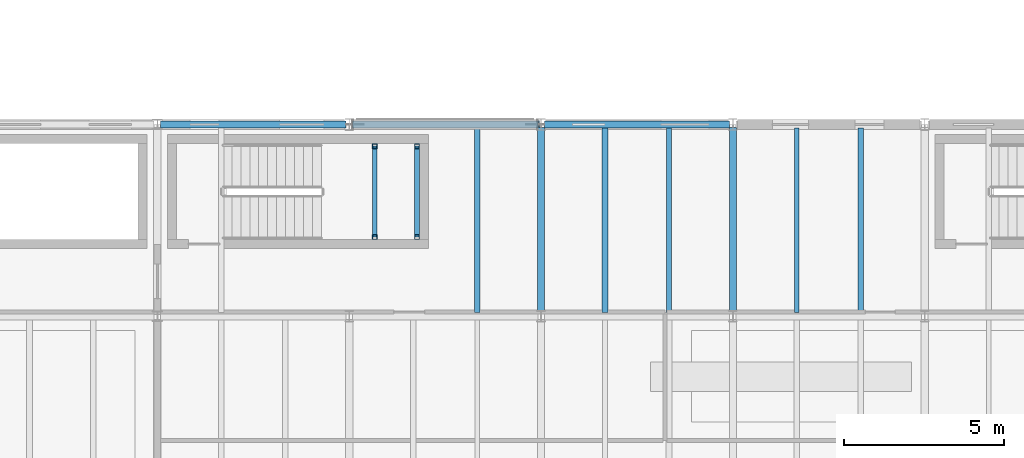
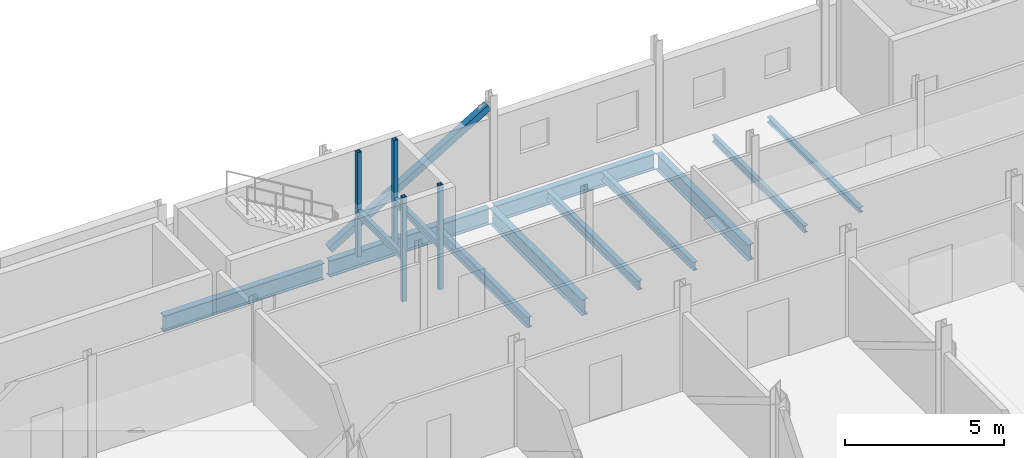
# One storey, part 27 of 92: 12 beams, 5 members.
"""IFC4 building model written with IfcOpenShell, lengths in metres."""

from ifc_helpers import new_model, si_unit, direction, frame, origin, origin_2d, place, context, subcontext, project, spatial, hollow_rectangle, i_section, extrude, material, material_profile, profile_set, type_object, element, save


model = new_model("IFC4")

# Units and contexts
model_context = context("Model", 3, precision=1e-05, world=origin(), true_north=direction((0.0, 1.0)))
body_context = subcontext(model_context, "Body", "Model", "MODEL_VIEW")
ifc_project = project(units=[si_unit("LENGTHUNIT", "METRE"), si_unit("AREAUNIT", "SQUARE_METRE"), si_unit("VOLUMEUNIT", "CUBIC_METRE"), si_unit("PLANEANGLEUNIT", "RADIAN"), si_unit("MASSUNIT", "GRAM", prefix="KILO")], contexts=[model_context])

# Site, building, storey
site_placement = place(None, origin())
site = spatial("IfcSite", under=ifc_project, at=site_placement, CompositionType="ELEMENT")
building_placement = place(site_placement, origin())
building = spatial("IfcBuilding", under=site, at=building_placement, Name="Siltcreek Boulevard Central Fire Station", CompositionType="ELEMENT")
storey_placement = place(building_placement, frame((0.0, 0.0, 6.0)))
storey = spatial("IfcBuildingStorey", under=building, at=storey_placement, Name="L02", CompositionType="ELEMENT", Elevation=6.0)

# Beams
ifc_material_1 = material(Name="Structural steel ASTM A992 Gr50", Category="steel")
ifc_material_profile_1 = material_profile(ifc_material_1, i_section(OverallWidth=0.22802734375, OverallDepth=0.60791015625, WebThickness=0.01123046875, FlangeThickness=0.017333984375, at=origin_2d()), Name="W610X113")
ifc_profile_set_1 = profile_set([ifc_material_profile_1], Name="Structural steel ASTM A992 Gr50")
beam_type_1 = type_object("IfcBeamType", Name="BM_W610X113", PredefinedType="BEAM", material=ifc_profile_set_1)
for number, where, z_axis, x_axis, name in (
    (1, (78.0, 48.10009765625, -0.6240234375), (0.0, 1.0, 0.0), (-1.0, 0.0, 0.0), "L02 primary steel girder GY-0095"),
    (2, (84.0, 48.10009765625, -0.6240234375), (0.0, 1.0, 0.0), (-1.0, 0.0, 0.0), "L02 primary steel girder GY-0097"),
):
    element("IfcBeam", number, at=place(storey_placement, frame(where, z_axis=z_axis, x_axis=x_axis)), inside=storey, type_object=beam_type_1, Name=name, PredefinedType="BEAM", context=body_context, shape_type="SweptSolid", body=[
        extrude(i_section(OverallWidth=0.22802734375, OverallDepth=0.60791015625, WebThickness=0.01123046875, FlangeThickness=0.017333984375, at=origin_2d()), origin(), (0.0, 0.0, 1.0), 5.7998046875),
    ])
ifc_material_profile_2 = material_profile(ifc_material_1, i_section(OverallWidth=0.22998046875, OverallDepth=0.616943359375, WebThickness=0.01318359375, FlangeThickness=0.022216796875, at=origin_2d()), Name="W610X140")
ifc_profile_set_2 = profile_set([ifc_material_profile_2], Name="Structural steel ASTM A992 Gr50")
beam_type_2 = type_object("IfcBeamType", Name="BM_W610X140", PredefinedType="BEAM", material=ifc_profile_set_2)
for number, where, z_axis, x_axis, name in (
    (3, (66.10009765625, 54.0, -0.62841796875), (1.0, 0.0, 0.0), (0.0, 1.0, 0.0), "L02 primary steel girder GX-0086"),
    (4, (72.10009765625, 54.0, -0.62841796875), (1.0, 0.0, 0.0), (0.0, 1.0, 0.0), "L02 primary steel girder GX-0087"),
    (5, (78.10009765625, 54.0, -0.62841796875), (1.0, 0.0, 0.0), (0.0, 1.0, 0.0), "L02 primary steel girder GX-0088"),
):
    element("IfcBeam", number, at=place(storey_placement, frame(where, z_axis=z_axis, x_axis=x_axis)), inside=storey, type_object=beam_type_2, Name=name, PredefinedType="BEAM", context=body_context, shape_type="SweptSolid", body=[
        extrude(i_section(OverallWidth=0.22998046875, OverallDepth=0.616943359375, WebThickness=0.01318359375, FlangeThickness=0.022216796875, at=origin_2d()), origin(), (0.0, 0.0, 1.0), 5.7998046875),
    ])

# Members
ifc_material_2 = material(Name="Structural steel ASTM A500 GrC", Category="steel")
ifc_material_profile_3 = material_profile(ifc_material_2, hollow_rectangle(XDim=0.14990234375, YDim=0.14990234375, WallThickness=0.008056640625, at=origin_2d()), Name="HSS150X150X8.0")
ifc_profile_set_3 = profile_set([ifc_material_profile_3], Name="Structural steel ASTM A500 GrC")
member_type_1 = type_object("IfcMemberType", Name="BR_HSS150_8", PredefinedType="BRACE", material=ifc_profile_set_3)
for number, where, z_axis, x_axis, name in (
    (6, (72.800048828125, 50.47998046875, 0.0), (0.0, 0.0, 1.0), (1.0, 0.0, 0.0), "L02 ST-V2C stair landing corner post SW"),
    (7, (72.800048828125, 53.320068359375, 0.0), (0.0, 0.0, 1.0), (1.0, 0.0, 0.0), "L02 ST-V2C stair landing corner post NW"),
    (8, (74.1201171875, 50.47998046875, 0.0), (0.0, 0.0, 1.0), (1.0, 0.0, 0.0), "L02 ST-V2C stair landing corner post SE"),
    (9, (74.1201171875, 53.320068359375, 0.0), (0.0, 0.0, 1.0), (1.0, 0.0, 0.0), "L02 ST-V2C stair landing corner post NE"),
):
    element("IfcMember", number, at=place(storey_placement, frame(where, z_axis=z_axis, x_axis=x_axis)), inside=storey, type_object=member_type_1, Name=name, PredefinedType="BRACE", context=body_context, shape_type="SweptSolid", body=[
        extrude(hollow_rectangle(XDim=0.14990234375, YDim=0.14990234375, WallThickness=0.008056640625, at=origin_2d()), origin(), (0.0, 0.0, 1.0), 4.0),
    ])
ifc_material_profile_4 = material_profile(ifc_material_2, hollow_rectangle(XDim=0.25, YDim=0.25, WallThickness=0.009521484375, at=origin_2d()), Name="HSS250X250X9.5")
ifc_profile_set_4 = profile_set([ifc_material_profile_4], Name="Structural steel ASTM A500 GrC")
member_type_2 = type_object("IfcMemberType", Name="BR_HSS250_9", PredefinedType="BRACE", material=ifc_profile_set_4)
member_placement = place(storey_placement, frame((72.1201171875, 54.0, 0.10009765625), z_axis=(0.857880912355, 0.0, 0.513848557667), x_axis=(0.0, 1.0, 0.0)))
element("IfcMember", 10, at=member_placement, inside=storey, type_object=member_type_2, Name="L02 buckling-restrained brace BR-011", PredefinedType="BRACE", context=body_context, shape_type="SweptSolid", body=[
    extrude(hollow_rectangle(XDim=0.25, YDim=0.25, WallThickness=0.009521484375, at=origin_2d()), origin(), (0.0, 0.0, 1.0), 6.7138671875),
])

# Beams
ifc_material_profile_5 = material_profile(ifc_material_1, i_section(OverallWidth=0.1650390625, OverallDepth=0.200927734375, WebThickness=0.006103515625, FlangeThickness=0.01025390625, at=origin_2d()), Name="W200X36")
ifc_profile_set_5 = profile_set([ifc_material_profile_5], Name="Structural steel ASTM A992 Gr50")
beam_type_3 = type_object("IfcBeamType", Name="JST_W200X36", PredefinedType="JOIST", material=ifc_profile_set_5)
beam_1_placement = place(storey_placement, frame((88.0, 48.113037109375, -0.42041015625), z_axis=(0.0, 1.0, 0.0), x_axis=(-1.0, 0.0, 0.0)))
element("IfcBeam", 11, at=beam_1_placement, inside=storey, type_object=beam_type_3, Name="L02 secondary steel floor joist 0102", PredefinedType="JOIST", context=body_context, shape_type="SweptSolid", body=[
    extrude(i_section(OverallWidth=0.1650390625, OverallDepth=0.200927734375, WebThickness=0.006103515625, FlangeThickness=0.01025390625, at=origin_2d()), origin(), (0.0, 0.0, 1.0), 5.77392578125),
])
ifc_material_profile_6 = material_profile(ifc_material_1, i_section(OverallWidth=0.14697265625, OverallDepth=0.261962890625, WebThickness=0.006591796875, FlangeThickness=0.01123046875, at=origin_2d()), Name="W250X39")
ifc_profile_set_6 = profile_set([ifc_material_profile_6], Name="Structural steel ASTM A992 Gr50")
beam_type_4 = type_object("IfcBeamType", Name="JST_W250X39", PredefinedType="JOIST", material=ifc_profile_set_6)
beam_2_placement = place(storey_placement, frame((86.0, 48.113037109375, -0.450927734375), z_axis=(0.0, 1.0, 0.0), x_axis=(-1.0, 0.0, 0.0)))
element("IfcBeam", 12, at=beam_2_placement, inside=storey, type_object=beam_type_4, Name="L02 secondary steel floor joist 0101", PredefinedType="JOIST", context=body_context, shape_type="SweptSolid", body=[
    extrude(i_section(OverallWidth=0.14697265625, OverallDepth=0.261962890625, WebThickness=0.006591796875, FlangeThickness=0.01123046875, at=origin_2d()), origin(), (0.0, 0.0, 1.0), 5.77392578125),
])
for number, where, z_axis, x_axis, name in (
    (13, (72.800048828125, 50.47998046875, 1.6689453125), (0.0, 1.0, 0.0), (-1.0, 0.0, 0.0), "L02 ST-V2C stair landing bearer MIDW"),
    (14, (74.1201171875, 50.47998046875, 1.6689453125), (0.0, 1.0, 0.0), (-1.0, 0.0, 0.0), "L02 ST-V2C stair landing bearer MIDE"),
):
    element("IfcBeam", number, at=place(storey_placement, frame(where, z_axis=z_axis, x_axis=x_axis)), inside=storey, type_object=beam_type_4, Name=name, PredefinedType="JOIST", context=body_context, shape_type="SweptSolid", body=[
        extrude(i_section(OverallWidth=0.14697265625, OverallDepth=0.261962890625, WebThickness=0.006591796875, FlangeThickness=0.01123046875, at=origin_2d()), origin(), (0.0, 0.0, 1.0), 2.840087890625),
    ])
ifc_material_profile_7 = material_profile(ifc_material_1, i_section(OverallWidth=0.166015625, OverallDepth=0.31298828125, WebThickness=0.006591796875, FlangeThickness=0.01123046875, at=origin_2d()), Name="W310X45")
ifc_profile_set_7 = profile_set([ifc_material_profile_7], Name="Structural steel ASTM A992 Gr50")
beam_type_5 = type_object("IfcBeamType", Name="JST_W310X45", PredefinedType="JOIST", material=ifc_profile_set_7)
beam_3_placement = place(storey_placement, frame((82.0, 48.113037109375, -0.4765625), z_axis=(0.0, 1.0, 0.0), x_axis=(-1.0, 0.0, 0.0)))
element("IfcBeam", 15, at=beam_3_placement, inside=storey, type_object=beam_type_5, Name="L02 secondary steel floor joist 0100", PredefinedType="JOIST", context=body_context, shape_type="SweptSolid", body=[
    extrude(i_section(OverallWidth=0.166015625, OverallDepth=0.31298828125, WebThickness=0.006591796875, FlangeThickness=0.01123046875, at=origin_2d()), origin(), (0.0, 0.0, 1.0), 5.77392578125),
])
ifc_material_profile_8 = material_profile(ifc_material_1, i_section(OverallWidth=0.172119140625, OverallDepth=0.35791015625, WebThickness=0.0078125, FlangeThickness=0.01318359375, at=origin_2d()), Name="W360X57")
ifc_profile_set_8 = profile_set([ifc_material_profile_8], Name="Structural steel ASTM A992 Gr50")
beam_type_6 = type_object("IfcBeamType", Name="JST_W360X57", PredefinedType="JOIST", material=ifc_profile_set_8)
beam_4_placement = place(storey_placement, frame((80.0, 48.113037109375, -0.4990234375), z_axis=(0.0, 1.0, 0.0), x_axis=(-1.0, 0.0, 0.0)))
element("IfcBeam", 16, at=beam_4_placement, inside=storey, type_object=beam_type_6, Name="L02 secondary steel floor joist 0099", PredefinedType="JOIST", context=body_context, shape_type="SweptSolid", body=[
    extrude(i_section(OverallWidth=0.172119140625, OverallDepth=0.35791015625, WebThickness=0.0078125, FlangeThickness=0.01318359375, at=origin_2d()), origin(), (0.0, 0.0, 1.0), 5.77392578125),
])
ifc_material_profile_9 = material_profile(ifc_material_1, i_section(OverallWidth=0.177001953125, OverallDepth=0.403076171875, WebThickness=0.007568359375, FlangeThickness=0.010986328125, at=origin_2d()), Name="W410X53")
ifc_profile_set_9 = profile_set([ifc_material_profile_9], Name="Structural steel ASTM A992 Gr50")
beam_type_7 = type_object("IfcBeamType", Name="JST_W410X53", PredefinedType="JOIST", material=ifc_profile_set_9)
beam_5_placement = place(storey_placement, frame((76.0, 48.113037109375, -0.521484375), z_axis=(0.0, 1.0, 0.0), x_axis=(-1.0, 0.0, 0.0)))
element("IfcBeam", 17, at=beam_5_placement, inside=storey, type_object=beam_type_7, Name="L02 secondary steel floor joist 0098", PredefinedType="JOIST", context=body_context, shape_type="SweptSolid", body=[
    extrude(i_section(OverallWidth=0.177001953125, OverallDepth=0.403076171875, WebThickness=0.007568359375, FlangeThickness=0.010986328125, at=origin_2d()), origin(), (0.0, 0.0, 1.0), 5.77392578125),
])

save(model, "model.ifc")
